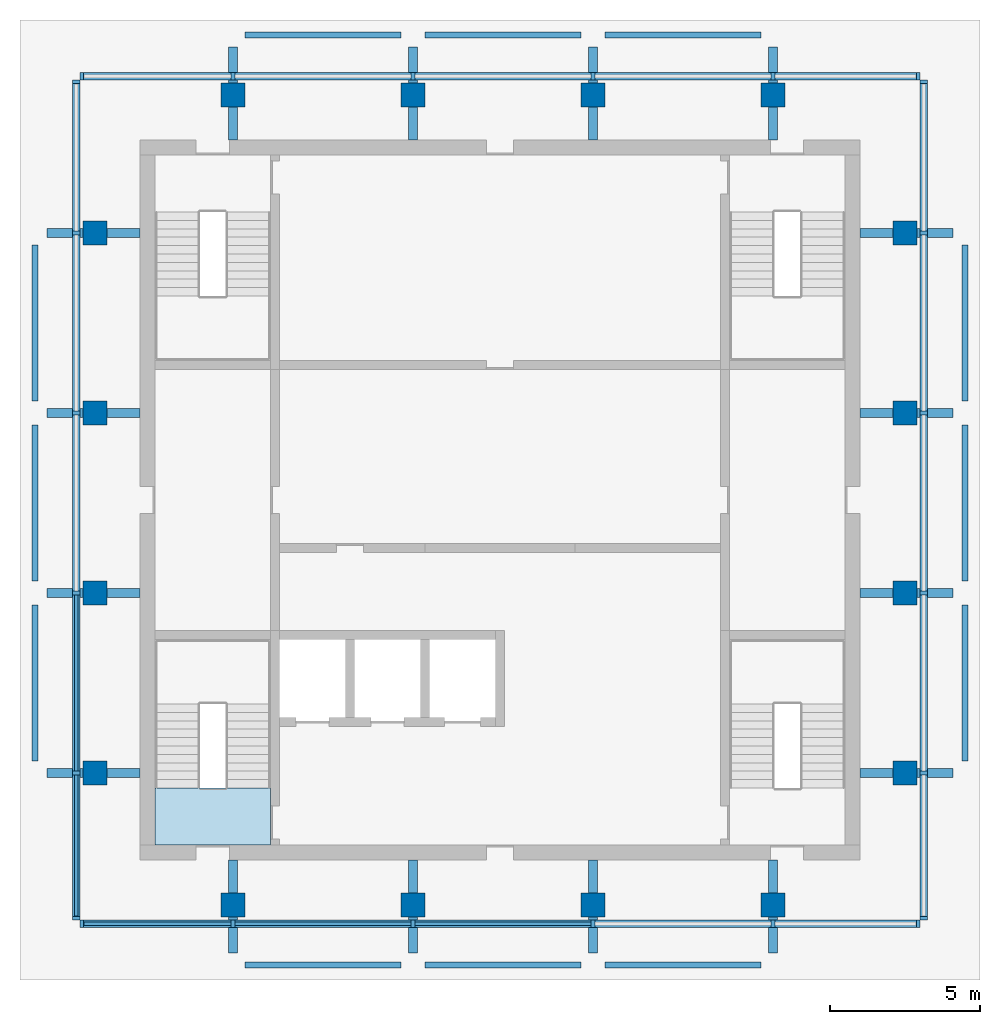
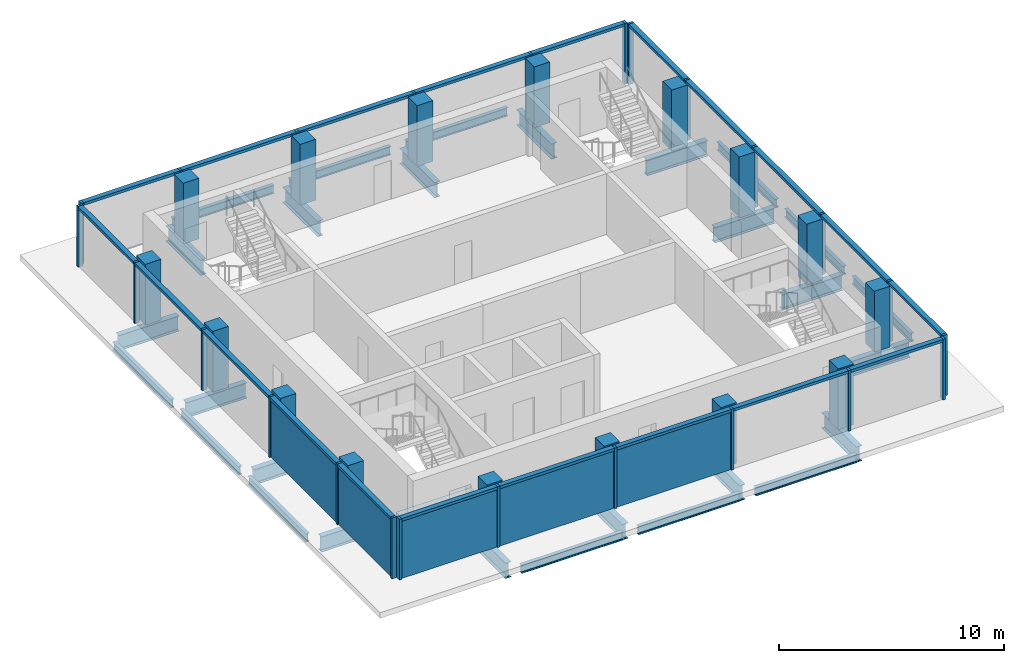
# One storey, part 1 of 4: 44 members, 28 beams, 16 columns, 5 plates, 1 slab, 5 elements without a shape of their own.
"""IFC4 building model written with IfcOpenShell, lengths in metres."""

from ifc_helpers import new_model, si_unit, direction, frame, origin, origin_2d, place, context, subcontext, project, spatial, polyline, rectangle, i_section, outline, extrude, material, layer, layer_set, material_profile, profile_set, type_object, element, aggregate, save


model = new_model("IFC4")

# Units and contexts
model_context = context("Model", 3, precision=1e-05, world=origin(), true_north=direction((0.0, 1.0)))
body_context = subcontext(model_context, "Body", "Model", "MODEL_VIEW")
ifc_project = project(units=[si_unit("LENGTHUNIT", "METRE"), si_unit("AREAUNIT", "SQUARE_METRE"), si_unit("VOLUMEUNIT", "CUBIC_METRE"), si_unit("PLANEANGLEUNIT", "RADIAN"), si_unit("MASSUNIT", "GRAM", prefix="KILO")], contexts=[model_context])

# Site, building, storey
site_placement = place(None, origin())
site = spatial("IfcSite", under=ifc_project, at=site_placement, CompositionType="ELEMENT")
building_placement = place(site_placement, origin())
building = spatial("IfcBuilding", under=site, at=building_placement, Name="Amberfall Residences", CompositionType="ELEMENT")
storey_placement = place(building_placement, frame((0.0, 0.0, 298.0)))
storey = spatial("IfcBuildingStorey", under=building, at=storey_placement, Name="L80 Crown", CompositionType="ELEMENT", Elevation=298.0)

# Columns
ifc_material_1 = material(Name="Concrete C50", Category="concrete")
ifc_material_profile_1 = material_profile(ifc_material_1, rectangle(XDim=0.800048828125, YDim=0.800048828125, at=origin_2d()), Name="Column 800 x 800 C50")
ifc_profile_set_1 = profile_set([ifc_material_profile_1], Name="Concrete C50")
column_type = type_object("IfcColumnType", Name="Column 800 x 800 C50", PredefinedType="COLUMN", material=ifc_profile_set_1)
for number, where, z_axis, x_axis, name in (
    (1, (65.60009765625, 32.0, 0.0), (0.0, 0.0, 1.0), (1.0, 0.0, 0.0), "Column C5 L80 Crown S1"),
    (2, (71.60009765625, 32.0, 0.0), (0.0, 0.0, 1.0), (1.0, 0.0, 0.0), "Column C5 L80 Crown S2"),
    (3, (77.60009765625, 32.0, 0.0), (0.0, 0.0, 1.0), (1.0, 0.0, 0.0), "Column C5 L80 Crown S3"),
    (4, (83.60009765625, 32.0, 0.0), (0.0, 0.0, 1.0), (1.0, 0.0, 0.0), "Column C5 L80 Crown S4"),
    (5, (88.0, 36.39990234375, 0.0), (0.0, 0.0, 1.0), (1.0, 0.0, 0.0), "Column C5 L80 Crown E1"),
    (6, (88.0, 42.39990234375, 0.0), (0.0, 0.0, 1.0), (1.0, 0.0, 0.0), "Column C5 L80 Crown E2"),
    (7, (88.0, 48.39990234375, 0.0), (0.0, 0.0, 1.0), (1.0, 0.0, 0.0), "Column C5 L80 Crown E3"),
    (8, (88.0, 54.39990234375, 0.0), (0.0, 0.0, 1.0), (1.0, 0.0, 0.0), "Column C5 L80 Crown E4"),
    (9, (65.60009765625, 59.0, 0.0), (0.0, 0.0, 1.0), (1.0, 0.0, 0.0), "Column C5 L80 Crown N1"),
    (10, (71.60009765625, 59.0, 0.0), (0.0, 0.0, 1.0), (1.0, 0.0, 0.0), "Column C5 L80 Crown N2"),
    (11, (77.60009765625, 59.0, 0.0), (0.0, 0.0, 1.0), (1.0, 0.0, 0.0), "Column C5 L80 Crown N3"),
    (12, (83.60009765625, 59.0, 0.0), (0.0, 0.0, 1.0), (1.0, 0.0, 0.0), "Column C5 L80 Crown N4"),
    (13, (61.0, 36.39990234375, 0.0), (0.0, 0.0, 1.0), (1.0, 0.0, 0.0), "Column C5 L80 Crown W1"),
    (14, (61.0, 42.39990234375, 0.0), (0.0, 0.0, 1.0), (1.0, 0.0, 0.0), "Column C5 L80 Crown W2"),
    (15, (61.0, 48.39990234375, 0.0), (0.0, 0.0, 1.0), (1.0, 0.0, 0.0), "Column C5 L80 Crown W3"),
    (16, (61.0, 54.39990234375, 0.0), (0.0, 0.0, 1.0), (1.0, 0.0, 0.0), "Column C5 L80 Crown W4"),
):
    element("IfcColumn", number, at=place(storey_placement, frame(where, z_axis=z_axis, x_axis=x_axis)), inside=storey, type_object=column_type, Name=name, PredefinedType="COLUMN", context=body_context, shape_type="SweptSolid", body=[
        extrude(rectangle(XDim=0.800048828125, YDim=0.800048828125, at=origin_2d()), origin(), (0.0, 0.0, 1.0), 3.300048828125),
    ])

# Curtain wall, members
ifc_material_2 = material(Name="Bronze anodised aluminium and glass", Category="aluminium")
curtain_wall_type = type_object("IfcCurtainWallType", Name="Curtain wall CW6 crown louvre", PredefinedType="USERDEFINED", material=ifc_material_2)
curtain_wall_1_placement = place(storey_placement, origin())
curtain_wall_1 = element("IfcCurtainWall", 17, at=curtain_wall_1_placement, inside=storey, type_object=curtain_wall_type, Name="Curtain wall L80 Crown S S1", ObjectType="UNITISED CURTAIN WALL", PredefinedType="USERDEFINED")
ifc_material_3 = material(Name="Bronze anodised aluminium", Category="aluminium")
ifc_material_profile_2 = material_profile(ifc_material_3, rectangle(XDim=0.25, YDim=0.1201171875, at=origin_2d()), Name="CW6 mullion 120 x 250 bronze")
ifc_profile_set_2 = profile_set([ifc_material_profile_2], Name="Bronze anodised aluminium")
member_type_1 = type_object("IfcMemberType", Name="CW6 mullion 120 x 250 bronze", PredefinedType="MULLION", material=ifc_profile_set_2)
member_1_placement = place(storey_placement, frame((60.56005859375, 31.375, 0.0), z_axis=(0.0, 0.0, 1.0), x_axis=(0.0, 1.0, 0.0)))
member_1 = element("IfcMember", 18, at=member_1_placement, type_object=member_type_1, Name="CW6 mullion 1", PredefinedType="MULLION", context=body_context, shape_type="SweptSolid", body=[
    extrude(rectangle(XDim=0.25, YDim=0.1201171875, at=origin_2d()), origin(), (0.0, 0.0, 1.0), 3.300048828125),
])
member_2_placement = place(storey_placement, frame((65.60009765625, 31.375, 0.0), z_axis=(0.0, 0.0, 1.0), x_axis=(0.0, 1.0, 0.0)))
member_2 = element("IfcMember", 19, at=member_2_placement, type_object=member_type_1, Name="CW6 mullion 2", PredefinedType="MULLION", context=body_context, shape_type="SweptSolid", body=[
    extrude(rectangle(XDim=0.25, YDim=0.1201171875, at=origin_2d()), origin(), (0.0, 0.0, 1.0), 3.300048828125),
])
member_3_placement = place(storey_placement, frame((71.60009765625, 31.375, 0.0), z_axis=(0.0, 0.0, 1.0), x_axis=(0.0, 1.0, 0.0)))
member_3 = element("IfcMember", 20, at=member_3_placement, type_object=member_type_1, Name="CW6 mullion 3", PredefinedType="MULLION", context=body_context, shape_type="SweptSolid", body=[
    extrude(rectangle(XDim=0.25, YDim=0.1201171875, at=origin_2d()), origin(), (0.0, 0.0, 1.0), 3.300048828125),
])
member_4_placement = place(storey_placement, frame((77.60009765625, 31.375, 0.0), z_axis=(0.0, 0.0, 1.0), x_axis=(0.0, 1.0, 0.0)))
member_4 = element("IfcMember", 21, at=member_4_placement, type_object=member_type_1, Name="CW6 mullion 4", PredefinedType="MULLION", context=body_context, shape_type="SweptSolid", body=[
    extrude(rectangle(XDim=0.25, YDim=0.1201171875, at=origin_2d()), origin(), (0.0, 0.0, 1.0), 3.300048828125),
])
member_5_placement = place(storey_placement, frame((83.60009765625, 31.375, 0.0), z_axis=(0.0, 0.0, 1.0), x_axis=(0.0, 1.0, 0.0)))
member_5 = element("IfcMember", 22, at=member_5_placement, type_object=member_type_1, Name="CW6 mullion 5", PredefinedType="MULLION", context=body_context, shape_type="SweptSolid", body=[
    extrude(rectangle(XDim=0.25, YDim=0.1201171875, at=origin_2d()), origin(), (0.0, 0.0, 1.0), 3.300048828125),
])
member_6_placement = place(storey_placement, frame((88.43994140625, 31.375, 0.0), z_axis=(0.0, 0.0, 1.0), x_axis=(0.0, 1.0, 0.0)))
member_6 = element("IfcMember", 23, at=member_6_placement, type_object=member_type_1, Name="CW6 mullion 6", PredefinedType="MULLION", context=body_context, shape_type="SweptSolid", body=[
    extrude(rectangle(XDim=0.25, YDim=0.1201171875, at=origin_2d()), origin(), (0.0, 0.0, 1.0), 3.300048828125),
])

curtain_wall_2_placement = place(storey_placement, origin())
curtain_wall_2 = element("IfcCurtainWall", 24, at=curtain_wall_2_placement, inside=storey, type_object=curtain_wall_type, Name="Curtain wall L80 Crown E E1", ObjectType="UNITISED CURTAIN WALL", PredefinedType="USERDEFINED")
member_7_placement = place(storey_placement, frame((88.625, 31.56005859375, 0.0), z_axis=(0.0, 0.0, 1.0), x_axis=(-1.0, 0.0, 0.0)))
member_7 = element("IfcMember", 25, at=member_7_placement, type_object=member_type_1, Name="CW6 mullion 1", PredefinedType="MULLION", context=body_context, shape_type="SweptSolid", body=[
    extrude(rectangle(XDim=0.25, YDim=0.1201171875, at=origin_2d()), origin(), (0.0, 0.0, 1.0), 3.300048828125),
])
member_8_placement = place(storey_placement, frame((88.625, 36.39990234375, 0.0), z_axis=(0.0, 0.0, 1.0), x_axis=(-1.0, 0.0, 0.0)))
member_8 = element("IfcMember", 26, at=member_8_placement, type_object=member_type_1, Name="CW6 mullion 2", PredefinedType="MULLION", context=body_context, shape_type="SweptSolid", body=[
    extrude(rectangle(XDim=0.25, YDim=0.1201171875, at=origin_2d()), origin(), (0.0, 0.0, 1.0), 3.300048828125),
])
member_9_placement = place(storey_placement, frame((88.625, 42.39990234375, 0.0), z_axis=(0.0, 0.0, 1.0), x_axis=(-1.0, 0.0, 0.0)))
member_9 = element("IfcMember", 27, at=member_9_placement, type_object=member_type_1, Name="CW6 mullion 3", PredefinedType="MULLION", context=body_context, shape_type="SweptSolid", body=[
    extrude(rectangle(XDim=0.25, YDim=0.1201171875, at=origin_2d()), origin(), (0.0, 0.0, 1.0), 3.300048828125),
])
member_10_placement = place(storey_placement, frame((88.625, 48.39990234375, 0.0), z_axis=(0.0, 0.0, 1.0), x_axis=(-1.0, 0.0, 0.0)))
member_10 = element("IfcMember", 28, at=member_10_placement, type_object=member_type_1, Name="CW6 mullion 4", PredefinedType="MULLION", context=body_context, shape_type="SweptSolid", body=[
    extrude(rectangle(XDim=0.25, YDim=0.1201171875, at=origin_2d()), origin(), (0.0, 0.0, 1.0), 3.300048828125),
])
member_11_placement = place(storey_placement, frame((88.625, 54.39990234375, 0.0), z_axis=(0.0, 0.0, 1.0), x_axis=(-1.0, 0.0, 0.0)))
member_11 = element("IfcMember", 29, at=member_11_placement, type_object=member_type_1, Name="CW6 mullion 5", PredefinedType="MULLION", context=body_context, shape_type="SweptSolid", body=[
    extrude(rectangle(XDim=0.25, YDim=0.1201171875, at=origin_2d()), origin(), (0.0, 0.0, 1.0), 3.300048828125),
])
member_12_placement = place(storey_placement, frame((88.625, 59.43994140625, 0.0), z_axis=(0.0, 0.0, 1.0), x_axis=(-1.0, 0.0, 0.0)))
member_12 = element("IfcMember", 30, at=member_12_placement, type_object=member_type_1, Name="CW6 mullion 6", PredefinedType="MULLION", context=body_context, shape_type="SweptSolid", body=[
    extrude(rectangle(XDim=0.25, YDim=0.1201171875, at=origin_2d()), origin(), (0.0, 0.0, 1.0), 3.300048828125),
])

curtain_wall_3_placement = place(storey_placement, origin())
curtain_wall_3 = element("IfcCurtainWall", 31, at=curtain_wall_3_placement, inside=storey, type_object=curtain_wall_type, Name="Curtain wall L80 Crown N N1", ObjectType="UNITISED CURTAIN WALL", PredefinedType="USERDEFINED")
member_13_placement = place(storey_placement, frame((88.43994140625, 59.625, 0.0), z_axis=(0.0, 0.0, 1.0), x_axis=(0.0, -1.0, 0.0)))
member_13 = element("IfcMember", 32, at=member_13_placement, type_object=member_type_1, Name="CW6 mullion 1", PredefinedType="MULLION", context=body_context, shape_type="SweptSolid", body=[
    extrude(rectangle(XDim=0.25, YDim=0.1201171875, at=origin_2d()), origin(), (0.0, 0.0, 1.0), 3.300048828125),
])
member_14_placement = place(storey_placement, frame((83.60009765625, 59.625, 0.0), z_axis=(0.0, 0.0, 1.0), x_axis=(0.0, -1.0, 0.0)))
member_14 = element("IfcMember", 33, at=member_14_placement, type_object=member_type_1, Name="CW6 mullion 2", PredefinedType="MULLION", context=body_context, shape_type="SweptSolid", body=[
    extrude(rectangle(XDim=0.25, YDim=0.1201171875, at=origin_2d()), origin(), (0.0, 0.0, 1.0), 3.300048828125),
])
member_15_placement = place(storey_placement, frame((77.60009765625, 59.625, 0.0), z_axis=(0.0, 0.0, 1.0), x_axis=(0.0, -1.0, 0.0)))
member_15 = element("IfcMember", 34, at=member_15_placement, type_object=member_type_1, Name="CW6 mullion 3", PredefinedType="MULLION", context=body_context, shape_type="SweptSolid", body=[
    extrude(rectangle(XDim=0.25, YDim=0.1201171875, at=origin_2d()), origin(), (0.0, 0.0, 1.0), 3.300048828125),
])
member_16_placement = place(storey_placement, frame((71.60009765625, 59.625, 0.0), z_axis=(0.0, 0.0, 1.0), x_axis=(0.0, -1.0, 0.0)))
member_16 = element("IfcMember", 35, at=member_16_placement, type_object=member_type_1, Name="CW6 mullion 4", PredefinedType="MULLION", context=body_context, shape_type="SweptSolid", body=[
    extrude(rectangle(XDim=0.25, YDim=0.1201171875, at=origin_2d()), origin(), (0.0, 0.0, 1.0), 3.300048828125),
])
member_17_placement = place(storey_placement, frame((65.60009765625, 59.625, 0.0), z_axis=(0.0, 0.0, 1.0), x_axis=(0.0, -1.0, 0.0)))
member_17 = element("IfcMember", 36, at=member_17_placement, type_object=member_type_1, Name="CW6 mullion 5", PredefinedType="MULLION", context=body_context, shape_type="SweptSolid", body=[
    extrude(rectangle(XDim=0.25, YDim=0.1201171875, at=origin_2d()), origin(), (0.0, 0.0, 1.0), 3.300048828125),
])
member_18_placement = place(storey_placement, frame((60.56005859375, 59.625, 0.0), z_axis=(0.0, 0.0, 1.0), x_axis=(0.0, -1.0, 0.0)))
member_18 = element("IfcMember", 37, at=member_18_placement, type_object=member_type_1, Name="CW6 mullion 6", PredefinedType="MULLION", context=body_context, shape_type="SweptSolid", body=[
    extrude(rectangle(XDim=0.25, YDim=0.1201171875, at=origin_2d()), origin(), (0.0, 0.0, 1.0), 3.300048828125),
])

curtain_wall_4_placement = place(storey_placement, origin())
curtain_wall_4 = element("IfcCurtainWall", 38, at=curtain_wall_4_placement, inside=storey, type_object=curtain_wall_type, Name="Curtain wall L80 Crown W W1", ObjectType="UNITISED CURTAIN WALL", PredefinedType="USERDEFINED")
member_19_placement = place(storey_placement, frame((60.375, 59.43994140625, 0.0), z_axis=(0.0, 0.0, 1.0), x_axis=(1.0, 0.0, 0.0)))
member_19 = element("IfcMember", 39, at=member_19_placement, type_object=member_type_1, Name="CW6 mullion 1", PredefinedType="MULLION", context=body_context, shape_type="SweptSolid", body=[
    extrude(rectangle(XDim=0.25, YDim=0.1201171875, at=origin_2d()), origin(), (0.0, 0.0, 1.0), 3.300048828125),
])
member_20_placement = place(storey_placement, frame((60.375, 54.39990234375, 0.0), z_axis=(0.0, 0.0, 1.0), x_axis=(1.0, 0.0, 0.0)))
member_20 = element("IfcMember", 40, at=member_20_placement, type_object=member_type_1, Name="CW6 mullion 2", PredefinedType="MULLION", context=body_context, shape_type="SweptSolid", body=[
    extrude(rectangle(XDim=0.25, YDim=0.1201171875, at=origin_2d()), origin(), (0.0, 0.0, 1.0), 3.300048828125),
])
member_21_placement = place(storey_placement, frame((60.375, 48.39990234375, 0.0), z_axis=(0.0, 0.0, 1.0), x_axis=(1.0, 0.0, 0.0)))
member_21 = element("IfcMember", 41, at=member_21_placement, type_object=member_type_1, Name="CW6 mullion 3", PredefinedType="MULLION", context=body_context, shape_type="SweptSolid", body=[
    extrude(rectangle(XDim=0.25, YDim=0.1201171875, at=origin_2d()), origin(), (0.0, 0.0, 1.0), 3.300048828125),
])
member_22_placement = place(storey_placement, frame((60.375, 42.39990234375, 0.0), z_axis=(0.0, 0.0, 1.0), x_axis=(1.0, 0.0, 0.0)))
member_22 = element("IfcMember", 42, at=member_22_placement, type_object=member_type_1, Name="CW6 mullion 4", PredefinedType="MULLION", context=body_context, shape_type="SweptSolid", body=[
    extrude(rectangle(XDim=0.25, YDim=0.1201171875, at=origin_2d()), origin(), (0.0, 0.0, 1.0), 3.300048828125),
])
member_23_placement = place(storey_placement, frame((60.375, 36.39990234375, 0.0), z_axis=(0.0, 0.0, 1.0), x_axis=(1.0, 0.0, 0.0)))
member_23 = element("IfcMember", 43, at=member_23_placement, type_object=member_type_1, Name="CW6 mullion 5", PredefinedType="MULLION", context=body_context, shape_type="SweptSolid", body=[
    extrude(rectangle(XDim=0.25, YDim=0.1201171875, at=origin_2d()), origin(), (0.0, 0.0, 1.0), 3.300048828125),
])
member_24_placement = place(storey_placement, frame((60.375, 31.56005859375, 0.0), z_axis=(0.0, 0.0, 1.0), x_axis=(1.0, 0.0, 0.0)))
member_24 = element("IfcMember", 44, at=member_24_placement, type_object=member_type_1, Name="CW6 mullion 6", PredefinedType="MULLION", context=body_context, shape_type="SweptSolid", body=[
    extrude(rectangle(XDim=0.25, YDim=0.1201171875, at=origin_2d()), origin(), (0.0, 0.0, 1.0), 3.300048828125),
])

# Member
ifc_material_profile_3 = material_profile(ifc_material_3, rectangle(XDim=0.25, YDim=0.14990234375, at=origin_2d()), Name="CW6 transom 250 x 150 bronze")
ifc_profile_set_3 = profile_set([ifc_material_profile_3], Name="Bronze anodised aluminium")
member_type_2 = type_object("IfcMemberType", Name="CW6 transom 250 x 150 bronze", PredefinedType="USERDEFINED", material=ifc_profile_set_3)
member_25_placement = place(storey_placement, frame((60.6201171875, 31.375, 3.22509765625), z_axis=(1.0, 0.0, 0.0), x_axis=(0.0, 1.0, 0.0)))
member_25 = element("IfcMember", 45, at=member_25_placement, type_object=member_type_2, Name="CW6 transom 1.1", ObjectType="TRANSOM", PredefinedType="USERDEFINED", context=body_context, shape_type="SweptSolid", body=[
    extrude(rectangle(XDim=0.25, YDim=0.14990234375, at=origin_2d()), origin(), (0.0, 0.0, 1.0), 4.919921875),
])

member_26_placement = place(storey_placement, frame((65.659912109375, 31.375, 3.22509765625), z_axis=(1.0, 0.0, 0.0), x_axis=(0.0, 1.0, 0.0)))
member_26 = element("IfcMember", 46, at=member_26_placement, type_object=member_type_2, Name="CW6 transom 2.1", ObjectType="TRANSOM", PredefinedType="USERDEFINED", context=body_context, shape_type="SweptSolid", body=[
    extrude(rectangle(XDim=0.25, YDim=0.14990234375, at=origin_2d()), origin(), (0.0, 0.0, 1.0), 5.880126953125),
])

member_27_placement = place(storey_placement, frame((71.659912109375, 31.375, 3.22509765625), z_axis=(1.0, 0.0, 0.0), x_axis=(0.0, 1.0, 0.0)))
member_27 = element("IfcMember", 47, at=member_27_placement, type_object=member_type_2, Name="CW6 transom 3.1", ObjectType="TRANSOM", PredefinedType="USERDEFINED", context=body_context, shape_type="SweptSolid", body=[
    extrude(rectangle(XDim=0.25, YDim=0.14990234375, at=origin_2d()), origin(), (0.0, 0.0, 1.0), 5.880126953125),
])

member_28_placement = place(storey_placement, frame((77.659912109375, 31.375, 3.22509765625), z_axis=(1.0, 0.0, 0.0), x_axis=(0.0, 1.0, 0.0)))
member_28 = element("IfcMember", 48, at=member_28_placement, type_object=member_type_2, Name="CW6 transom 4.1", ObjectType="TRANSOM", PredefinedType="USERDEFINED", context=body_context, shape_type="SweptSolid", body=[
    extrude(rectangle(XDim=0.25, YDim=0.14990234375, at=origin_2d()), origin(), (0.0, 0.0, 1.0), 5.880126953125),
])

member_29_placement = place(storey_placement, frame((83.659912109375, 31.375, 3.22509765625), z_axis=(1.0, 0.0, 0.0), x_axis=(0.0, 1.0, 0.0)))
member_29 = element("IfcMember", 49, at=member_29_placement, type_object=member_type_2, Name="CW6 transom 5.1", ObjectType="TRANSOM", PredefinedType="USERDEFINED", context=body_context, shape_type="SweptSolid", body=[
    extrude(rectangle(XDim=0.25, YDim=0.14990234375, at=origin_2d()), origin(), (0.0, 0.0, 1.0), 4.719970703125),
])

member_30_placement = place(storey_placement, frame((88.625, 31.6201171875, 3.22509765625), z_axis=(0.0, 1.0, 0.0), x_axis=(-1.0, 0.0, 0.0)))
member_30 = element("IfcMember", 50, at=member_30_placement, type_object=member_type_2, Name="CW6 transom 1.1", ObjectType="TRANSOM", PredefinedType="USERDEFINED", context=body_context, shape_type="SweptSolid", body=[
    extrude(rectangle(XDim=0.25, YDim=0.14990234375, at=origin_2d()), origin(), (0.0, 0.0, 1.0), 4.719970703125),
])

member_31_placement = place(storey_placement, frame((88.625, 36.4599609375, 3.22509765625), z_axis=(0.0, 1.0, 0.0), x_axis=(-1.0, 0.0, 0.0)))
member_31 = element("IfcMember", 51, at=member_31_placement, type_object=member_type_2, Name="CW6 transom 2.1", ObjectType="TRANSOM", PredefinedType="USERDEFINED", context=body_context, shape_type="SweptSolid", body=[
    extrude(rectangle(XDim=0.25, YDim=0.14990234375, at=origin_2d()), origin(), (0.0, 0.0, 1.0), 5.880126953125),
])

member_32_placement = place(storey_placement, frame((88.625, 42.4599609375, 3.22509765625), z_axis=(0.0, 1.0, 0.0), x_axis=(-1.0, 0.0, 0.0)))
member_32 = element("IfcMember", 52, at=member_32_placement, type_object=member_type_2, Name="CW6 transom 3.1", ObjectType="TRANSOM", PredefinedType="USERDEFINED", context=body_context, shape_type="SweptSolid", body=[
    extrude(rectangle(XDim=0.25, YDim=0.14990234375, at=origin_2d()), origin(), (0.0, 0.0, 1.0), 5.880126953125),
])

member_33_placement = place(storey_placement, frame((88.625, 48.4599609375, 3.22509765625), z_axis=(0.0, 1.0, 0.0), x_axis=(-1.0, 0.0, 0.0)))
member_33 = element("IfcMember", 53, at=member_33_placement, type_object=member_type_2, Name="CW6 transom 4.1", ObjectType="TRANSOM", PredefinedType="USERDEFINED", context=body_context, shape_type="SweptSolid", body=[
    extrude(rectangle(XDim=0.25, YDim=0.14990234375, at=origin_2d()), origin(), (0.0, 0.0, 1.0), 5.880126953125),
])

member_34_placement = place(storey_placement, frame((88.625, 54.4599609375, 3.22509765625), z_axis=(0.0, 1.0, 0.0), x_axis=(-1.0, 0.0, 0.0)))
member_34 = element("IfcMember", 54, at=member_34_placement, type_object=member_type_2, Name="CW6 transom 5.1", ObjectType="TRANSOM", PredefinedType="USERDEFINED", context=body_context, shape_type="SweptSolid", body=[
    extrude(rectangle(XDim=0.25, YDim=0.14990234375, at=origin_2d()), origin(), (0.0, 0.0, 1.0), 4.919921875),
])

aggregate(curtain_wall_2, [member_7, member_8, member_9, member_10, member_11, member_12, member_30, member_31, member_32, member_33, member_34])

member_35_placement = place(storey_placement, frame((88.3798828125, 59.625, 3.22509765625), z_axis=(-1.0, 0.0, 0.0), x_axis=(0.0, -1.0, 0.0)))
member_35 = element("IfcMember", 55, at=member_35_placement, type_object=member_type_2, Name="CW6 transom 1.1", ObjectType="TRANSOM", PredefinedType="USERDEFINED", context=body_context, shape_type="SweptSolid", body=[
    extrude(rectangle(XDim=0.25, YDim=0.14990234375, at=origin_2d()), origin(), (0.0, 0.0, 1.0), 4.719970703125),
])

member_36_placement = place(storey_placement, frame((83.5400390625, 59.625, 3.22509765625), z_axis=(-1.0, 0.0, 0.0), x_axis=(0.0, -1.0, 0.0)))
member_36 = element("IfcMember", 56, at=member_36_placement, type_object=member_type_2, Name="CW6 transom 2.1", ObjectType="TRANSOM", PredefinedType="USERDEFINED", context=body_context, shape_type="SweptSolid", body=[
    extrude(rectangle(XDim=0.25, YDim=0.14990234375, at=origin_2d()), origin(), (0.0, 0.0, 1.0), 5.880126953125),
])

member_37_placement = place(storey_placement, frame((77.5400390625, 59.625, 3.22509765625), z_axis=(-1.0, 0.0, 0.0), x_axis=(0.0, -1.0, 0.0)))
member_37 = element("IfcMember", 57, at=member_37_placement, type_object=member_type_2, Name="CW6 transom 3.1", ObjectType="TRANSOM", PredefinedType="USERDEFINED", context=body_context, shape_type="SweptSolid", body=[
    extrude(rectangle(XDim=0.25, YDim=0.14990234375, at=origin_2d()), origin(), (0.0, 0.0, 1.0), 5.880126953125),
])

member_38_placement = place(storey_placement, frame((71.5400390625, 59.625, 3.22509765625), z_axis=(-1.0, 0.0, 0.0), x_axis=(0.0, -1.0, 0.0)))
member_38 = element("IfcMember", 58, at=member_38_placement, type_object=member_type_2, Name="CW6 transom 4.1", ObjectType="TRANSOM", PredefinedType="USERDEFINED", context=body_context, shape_type="SweptSolid", body=[
    extrude(rectangle(XDim=0.25, YDim=0.14990234375, at=origin_2d()), origin(), (0.0, 0.0, 1.0), 5.880126953125),
])

member_39_placement = place(storey_placement, frame((65.5400390625, 59.625, 3.22509765625), z_axis=(-1.0, 0.0, 0.0), x_axis=(0.0, -1.0, 0.0)))
member_39 = element("IfcMember", 59, at=member_39_placement, type_object=member_type_2, Name="CW6 transom 5.1", ObjectType="TRANSOM", PredefinedType="USERDEFINED", context=body_context, shape_type="SweptSolid", body=[
    extrude(rectangle(XDim=0.25, YDim=0.14990234375, at=origin_2d()), origin(), (0.0, 0.0, 1.0), 4.919921875),
])

aggregate(curtain_wall_3, [member_13, member_14, member_15, member_16, member_17, member_18, member_35, member_36, member_37, member_38, member_39])

member_40_placement = place(storey_placement, frame((60.375, 59.3798828125, 3.22509765625), z_axis=(0.0, -1.0, 0.0), x_axis=(1.0, 0.0, 0.0)))
member_40 = element("IfcMember", 60, at=member_40_placement, type_object=member_type_2, Name="CW6 transom 1.1", ObjectType="TRANSOM", PredefinedType="USERDEFINED", context=body_context, shape_type="SweptSolid", body=[
    extrude(rectangle(XDim=0.25, YDim=0.14990234375, at=origin_2d()), origin(), (0.0, 0.0, 1.0), 4.919921875),
])

member_41_placement = place(storey_placement, frame((60.375, 54.340087890625, 3.22509765625), z_axis=(0.0, -1.0, 0.0), x_axis=(1.0, 0.0, 0.0)))
member_41 = element("IfcMember", 61, at=member_41_placement, type_object=member_type_2, Name="CW6 transom 2.1", ObjectType="TRANSOM", PredefinedType="USERDEFINED", context=body_context, shape_type="SweptSolid", body=[
    extrude(rectangle(XDim=0.25, YDim=0.14990234375, at=origin_2d()), origin(), (0.0, 0.0, 1.0), 5.880126953125),
])

member_42_placement = place(storey_placement, frame((60.375, 48.340087890625, 3.22509765625), z_axis=(0.0, -1.0, 0.0), x_axis=(1.0, 0.0, 0.0)))
member_42 = element("IfcMember", 62, at=member_42_placement, type_object=member_type_2, Name="CW6 transom 3.1", ObjectType="TRANSOM", PredefinedType="USERDEFINED", context=body_context, shape_type="SweptSolid", body=[
    extrude(rectangle(XDim=0.25, YDim=0.14990234375, at=origin_2d()), origin(), (0.0, 0.0, 1.0), 5.880126953125),
])

member_43_placement = place(storey_placement, frame((60.375, 42.340087890625, 3.22509765625), z_axis=(0.0, -1.0, 0.0), x_axis=(1.0, 0.0, 0.0)))
member_43 = element("IfcMember", 63, at=member_43_placement, type_object=member_type_2, Name="CW6 transom 4.1", ObjectType="TRANSOM", PredefinedType="USERDEFINED", context=body_context, shape_type="SweptSolid", body=[
    extrude(rectangle(XDim=0.25, YDim=0.14990234375, at=origin_2d()), origin(), (0.0, 0.0, 1.0), 5.880126953125),
])

member_44_placement = place(storey_placement, frame((60.375, 36.340087890625, 3.22509765625), z_axis=(0.0, -1.0, 0.0), x_axis=(1.0, 0.0, 0.0)))
member_44 = element("IfcMember", 64, at=member_44_placement, type_object=member_type_2, Name="CW6 transom 5.1", ObjectType="TRANSOM", PredefinedType="USERDEFINED", context=body_context, shape_type="SweptSolid", body=[
    extrude(rectangle(XDim=0.25, YDim=0.14990234375, at=origin_2d()), origin(), (0.0, 0.0, 1.0), 4.719970703125),
])

# Beams
ifc_material_4 = material(Name="Steel S355", Category="steel")
ifc_material_profile_4 = material_profile(ifc_material_4, i_section(OverallWidth=0.18994140625, OverallDepth=0.453369140625, WebThickness=0.008544921875, FlangeThickness=0.0126953125, FilletRadius=0.01025390625, at=origin_2d()), Name="UB 457x191x67")
ifc_profile_set_4 = profile_set([ifc_material_profile_4], Name="Steel S355")
beam_type_1 = type_object("IfcBeamType", Name="Edge beam UB 457x191x67", PredefinedType="SPANDREL", material=ifc_profile_set_4)
for number, where, z_axis, x_axis, name in (
    (65, (66.0, 30.0, -0.526611328125), (1.0, 0.0, 0.0), (0.0, 1.0, 0.0), "Edge beam B1 L80 Crown 01"),
    (66, (72.0, 30.0, -0.526611328125), (1.0, 0.0, 0.0), (0.0, 1.0, 0.0), "Edge beam B1 L80 Crown 02"),
    (67, (78.0, 30.0, -0.526611328125), (1.0, 0.0, 0.0), (0.0, 1.0, 0.0), "Edge beam B1 L80 Crown 03"),
    (68, (90.0, 36.800048828125, -0.526611328125), (0.0, 1.0, 0.0), (-1.0, 0.0, 0.0), "Edge beam B1 L80 Crown 08"),
    (69, (90.0, 42.800048828125, -0.526611328125), (0.0, 1.0, 0.0), (-1.0, 0.0, 0.0), "Edge beam B1 L80 Crown 09"),
    (70, (90.0, 48.800048828125, -0.526611328125), (0.0, 1.0, 0.0), (-1.0, 0.0, 0.0), "Edge beam B1 L80 Crown 10"),
    (71, (66.0, 61.0, -0.526611328125), (1.0, 0.0, 0.0), (0.0, 1.0, 0.0), "Edge beam B1 L80 Crown 15"),
    (72, (72.0, 61.0, -0.526611328125), (1.0, 0.0, 0.0), (0.0, 1.0, 0.0), "Edge beam B1 L80 Crown 16"),
    (73, (78.0, 61.0, -0.526611328125), (1.0, 0.0, 0.0), (0.0, 1.0, 0.0), "Edge beam B1 L80 Crown 17"),
    (74, (59.0, 36.800048828125, -0.526611328125), (0.0, 1.0, 0.0), (-1.0, 0.0, 0.0), "Edge beam B1 L80 Crown 22"),
    (75, (59.0, 42.800048828125, -0.526611328125), (0.0, 1.0, 0.0), (-1.0, 0.0, 0.0), "Edge beam B1 L80 Crown 23"),
    (76, (59.0, 48.800048828125, -0.526611328125), (0.0, 1.0, 0.0), (-1.0, 0.0, 0.0), "Edge beam B1 L80 Crown 24"),
):
    element("IfcBeam", number, at=place(storey_placement, frame(where, z_axis=z_axis, x_axis=x_axis)), inside=storey, type_object=beam_type_1, Name=name, PredefinedType="SPANDREL", context=body_context, shape_type="SweptSolid", body=[
        extrude(i_section(OverallWidth=0.18994140625, OverallDepth=0.453369140625, WebThickness=0.008544921875, FlangeThickness=0.0126953125, FilletRadius=0.01025390625, at=origin_2d()), origin(), (0.0, 0.0, 1.0), 5.199951171875),
    ])
ifc_material_profile_5 = material_profile(ifc_material_4, i_section(OverallWidth=0.29150390625, OverallDepth=0.8349609375, WebThickness=0.013916015625, FlangeThickness=0.018798828125, FilletRadius=0.017822265625, at=origin_2d()), Name="UB 838x292x176")
ifc_profile_set_5 = profile_set([ifc_material_profile_5], Name="Steel S355")
beam_type_2 = type_object("IfcBeamType", Name="Transfer girder UB 838x292x176", PredefinedType="BEAM", material=ifc_profile_set_5)
for number, where, z_axis, x_axis, name in (
    (77, (65.60009765625, 30.39990234375, -0.717529296875), (0.0, 1.0, 0.0), (-1.0, 0.0, 0.0), "Transfer girder B6 L80 Crown 04"),
    (78, (71.60009765625, 30.39990234375, -0.717529296875), (0.0, 1.0, 0.0), (-1.0, 0.0, 0.0), "Transfer girder B6 L80 Crown 05"),
    (79, (77.60009765625, 30.39990234375, -0.717529296875), (0.0, 1.0, 0.0), (-1.0, 0.0, 0.0), "Transfer girder B6 L80 Crown 06"),
    (80, (83.60009765625, 30.39990234375, -0.717529296875), (0.0, 1.0, 0.0), (-1.0, 0.0, 0.0), "Transfer girder B6 L80 Crown 07"),
    (81, (89.60009765625, 36.39990234375, -0.717529296875), (-1.0, 0.0, 0.0), (0.0, -1.0, 0.0), "Transfer girder B6 L80 Crown 11"),
    (82, (89.60009765625, 42.39990234375, -0.717529296875), (-1.0, 0.0, 0.0), (0.0, -1.0, 0.0), "Transfer girder B6 L80 Crown 12"),
    (83, (89.60009765625, 48.39990234375, -0.717529296875), (-1.0, 0.0, 0.0), (0.0, -1.0, 0.0), "Transfer girder B6 L80 Crown 13"),
    (84, (89.60009765625, 54.39990234375, -0.717529296875), (-1.0, 0.0, 0.0), (0.0, -1.0, 0.0), "Transfer girder B6 L80 Crown 14"),
    (85, (65.60009765625, 60.60009765625, -0.717529296875), (0.0, -1.0, 0.0), (1.0, 0.0, 0.0), "Transfer girder B6 L80 Crown 18"),
    (86, (71.60009765625, 60.60009765625, -0.717529296875), (0.0, -1.0, 0.0), (1.0, 0.0, 0.0), "Transfer girder B6 L80 Crown 19"),
    (87, (77.60009765625, 60.60009765625, -0.717529296875), (0.0, -1.0, 0.0), (1.0, 0.0, 0.0), "Transfer girder B6 L80 Crown 20"),
    (88, (83.60009765625, 60.60009765625, -0.717529296875), (0.0, -1.0, 0.0), (1.0, 0.0, 0.0), "Transfer girder B6 L80 Crown 21"),
    (89, (59.39990234375, 36.39990234375, -0.717529296875), (1.0, 0.0, 0.0), (0.0, 1.0, 0.0), "Transfer girder B6 L80 Crown 25"),
    (90, (59.39990234375, 42.39990234375, -0.717529296875), (1.0, 0.0, 0.0), (0.0, 1.0, 0.0), "Transfer girder B6 L80 Crown 26"),
    (91, (59.39990234375, 48.39990234375, -0.717529296875), (1.0, 0.0, 0.0), (0.0, 1.0, 0.0), "Transfer girder B6 L80 Crown 27"),
    (92, (59.39990234375, 54.39990234375, -0.717529296875), (1.0, 0.0, 0.0), (0.0, 1.0, 0.0), "Transfer girder B6 L80 Crown 28"),
):
    element("IfcBeam", number, at=place(storey_placement, frame(where, z_axis=z_axis, x_axis=x_axis)), inside=storey, type_object=beam_type_2, Name=name, PredefinedType="BEAM", context=body_context, shape_type="SweptSolid", body=[
        extrude(i_section(OverallWidth=0.29150390625, OverallDepth=0.8349609375, WebThickness=0.013916015625, FlangeThickness=0.018798828125, FilletRadius=0.017822265625, at=origin_2d()), origin(), (0.0, 0.0, 1.0), 3.10009765625),
    ])

# Plate
ifc_material_5 = material(Name="Bronze aluminium louvre", Category="aluminium")
ifc_layer_1 = layer(ifc_material_5, 0.1201171875)
ifc_layer_set_1 = layer_set([ifc_layer_1], Name="CW6 panel 120 louvre")
plate_type = type_object("IfcPlateType", Name="CW6 panel 120 louvre", PredefinedType="CURTAIN_PANEL", material=ifc_layer_set_1)
plate_1_placement = place(storey_placement, frame((63.080078125, 31.375, 0.0), z_axis=(0.0, 0.0, 1.0), x_axis=(1.0, 0.0, 0.0)))
plate_1 = element("IfcPlate", 93, at=plate_1_placement, type_object=plate_type, Name="CW6 panel 1.1", PredefinedType="CURTAIN_PANEL", context=body_context, shape_type="SweptSolid", body=[
    extrude(rectangle(XDim=4.89599609375, YDim=0.1201171875, at=origin_2d()), origin(), (0.0, 0.0, 1.0), 3.14990234375),
])

plate_2_placement = place(storey_placement, frame((68.60009765625, 31.375, 0.0), z_axis=(0.0, 0.0, 1.0), x_axis=(1.0, 0.0, 0.0)))
plate_2 = element("IfcPlate", 94, at=plate_2_placement, type_object=plate_type, Name="CW6 panel 2.1", PredefinedType="CURTAIN_PANEL", context=body_context, shape_type="SweptSolid", body=[
    extrude(rectangle(XDim=5.85595703125, YDim=0.1201171875, at=origin_2d()), origin(), (0.0, 0.0, 1.0), 3.14990234375),
])

plate_3_placement = place(storey_placement, frame((74.60009765625, 31.375, 0.0), z_axis=(0.0, 0.0, 1.0), x_axis=(1.0, 0.0, 0.0)))
plate_3 = element("IfcPlate", 95, at=plate_3_placement, type_object=plate_type, Name="CW6 panel 3.1", PredefinedType="CURTAIN_PANEL", context=body_context, shape_type="SweptSolid", body=[
    extrude(rectangle(XDim=5.85595703125, YDim=0.1201171875, at=origin_2d()), origin(), (0.0, 0.0, 1.0), 3.14990234375),
])

aggregate(curtain_wall_1, [member_1, member_2, member_3, member_4, member_5, member_6, member_25, plate_1, member_26, plate_2, member_27, plate_3, member_28, member_29])

plate_4_placement = place(storey_placement, frame((60.375, 39.39990234375, 0.0), z_axis=(0.0, 0.0, 1.0), x_axis=(0.0, -1.0, 0.0)))
plate_4 = element("IfcPlate", 96, at=plate_4_placement, type_object=plate_type, Name="CW6 panel 4.1", PredefinedType="CURTAIN_PANEL", context=body_context, shape_type="SweptSolid", body=[
    extrude(rectangle(XDim=5.85595703125, YDim=0.1201171875, at=origin_2d()), origin(), (0.0, 0.0, 1.0), 3.14990234375),
])

plate_5_placement = place(storey_placement, frame((60.375, 33.97998046875, 0.0), z_axis=(0.0, 0.0, 1.0), x_axis=(0.0, -1.0, 0.0)))
plate_5 = element("IfcPlate", 97, at=plate_5_placement, type_object=plate_type, Name="CW6 panel 5.1", PredefinedType="CURTAIN_PANEL", context=body_context, shape_type="SweptSolid", body=[
    extrude(rectangle(XDim=4.696044921875, YDim=0.1201171875, at=origin_2d()), origin(), (0.0, 0.0, 1.0), 3.14990234375),
])

aggregate(curtain_wall_4, [member_19, member_20, member_21, member_22, member_23, member_24, member_40, member_41, member_42, member_43, plate_4, member_44, plate_5])

# Stair, slab
ifc_material_6 = material(Name="Concrete C40", Category="concrete")
stair_type = type_object("IfcStairType", Name="Exit stair 22 risers 163.6 mm", PredefinedType="HALF_TURN_STAIR", material=ifc_material_6)
stair_placement = place(storey_placement, origin())
stair = element("IfcStair", 98, at=stair_placement, inside=storey, type_object=stair_type, Name="L80 Crown Exit stair 1", PredefinedType="HALF_TURN_STAIR")
ifc_layer_2 = layer(ifc_material_6, 0.199951171875)
ifc_layer_set_2 = layer_set([ifc_layer_2], Name="Stair landing 200")
slab_type = type_object("IfcSlabType", Name="Stair landing 200", PredefinedType="LANDING", material=ifc_layer_set_2)
slab_placement = place(storey_placement, frame((0.0, 0.0, -0.199951171875)))
slab = element("IfcSlab", 99, at=slab_placement, type_object=slab_type, Name="ST5 landing 2", PredefinedType="LANDING", context=body_context, shape_type="SweptSolid", body=[
    extrude(outline(polyline([(66.85009765625, 34.0), (66.85009765625, 35.89990234375), (63.0, 35.89990234375), (63.0, 34.0), (66.85009765625, 34.0)])), origin(), (0.0, 0.0, 1.0), 0.199951171875),
])
aggregate(stair, [slab])

save(model, "model.ifc")
